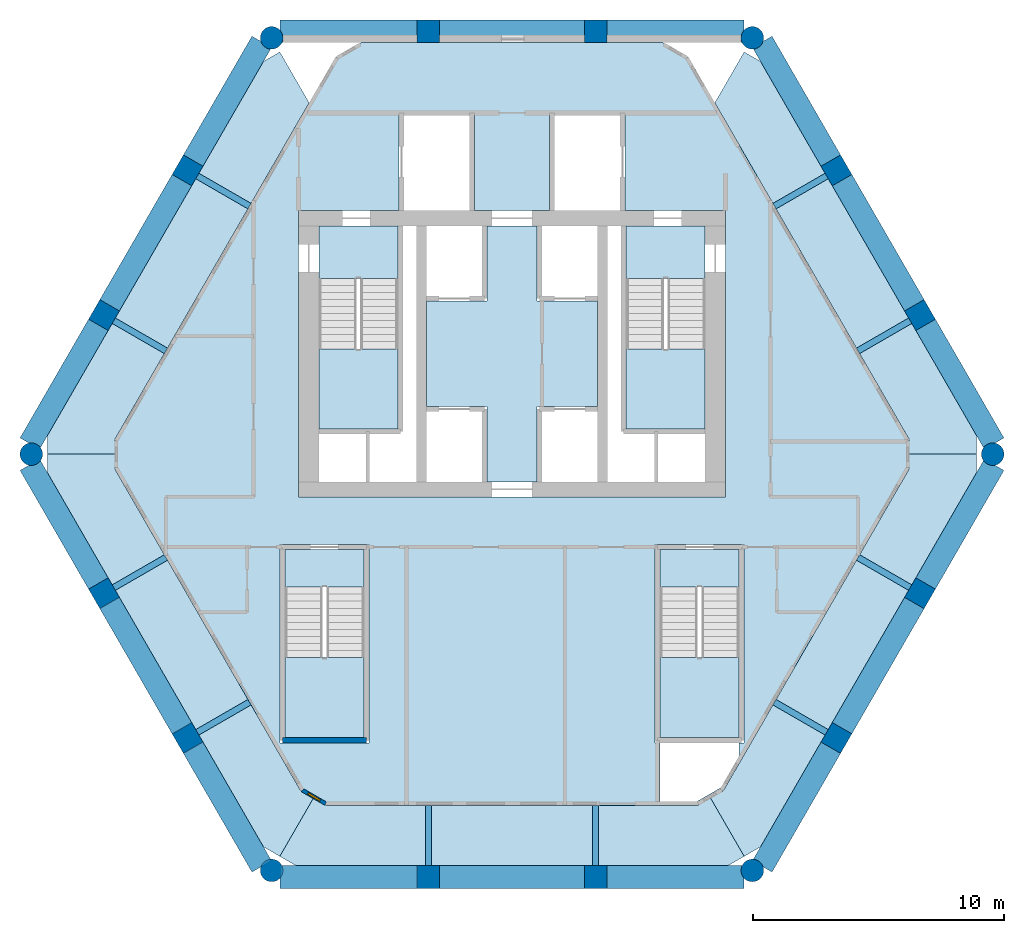
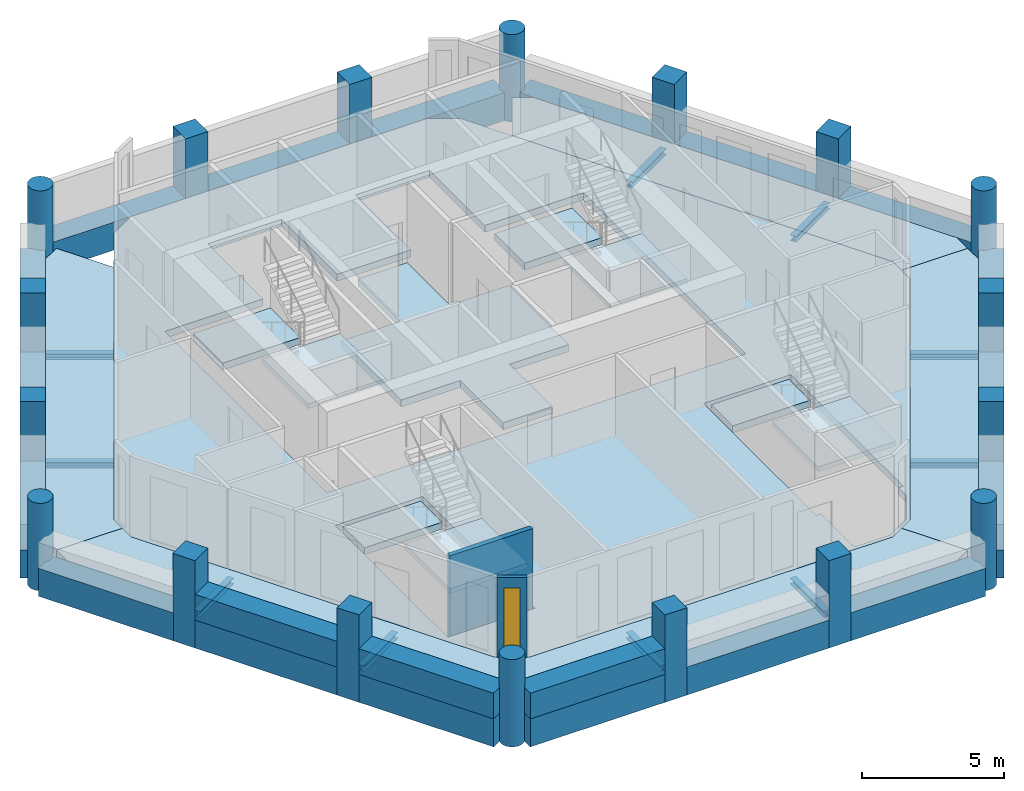
# One storey, part 1 of 6: 28 beams, 18 columns, 15 slabs, 5 walls, 1 window, 1 opening, 4 elements without a shape of their own.
"""IFC4 building model written with IfcOpenShell, lengths in metres."""

from ifc_helpers import new_model, si_unit, direction, frame, frame_2d, origin, origin_2d, place, context, subcontext, project, spatial, polyline, rectangle, circle, i_section, outline, extrude, material, layer, layer_set, material_profile, profile_set, type_object, element, fill, aggregate, save


model = new_model("IFC4")

# Units and contexts
model_context = context("Model", 3, precision=1e-05, world=origin(), true_north=direction((0.0, 1.0)))
body_context = subcontext(model_context, "Body", "Model", "MODEL_VIEW")
ifc_project = project(units=[si_unit("LENGTHUNIT", "METRE"), si_unit("AREAUNIT", "SQUARE_METRE"), si_unit("VOLUMEUNIT", "CUBIC_METRE"), si_unit("PLANEANGLEUNIT", "RADIAN"), si_unit("MASSUNIT", "GRAM", prefix="KILO")], contexts=[model_context])

# Site, building, storey
site_placement = place(None, origin())
site = spatial("IfcSite", under=ifc_project, at=site_placement, CompositionType="ELEMENT")
building_placement = place(site_placement, origin())
building = spatial("IfcBuilding", under=site, at=building_placement, Name="Ostrander Bayou Hotel Tower", CompositionType="ELEMENT")
storey_placement = place(building_placement, frame((0.0, 0.0, 218.25)))
storey = spatial("IfcBuildingStorey", under=building, at=storey_placement, Name="L54", CompositionType="ELEMENT", Elevation=218.25)

# Columns
ifc_material_1 = material(Name="Concrete f'c 60 MPa", Category="concrete")
ifc_material_profile_1 = material_profile(ifc_material_1, circle(Radius=0.449951171875, at=origin_2d()))
ifc_profile_set_1 = profile_set([ifc_material_profile_1], Name="Concrete f'c 60 MPa")
column_type_1 = type_object("IfcColumnType", Name="C7 round column 900 mm f'c 60 MPa", PredefinedType="COLUMN", material=ifc_profile_set_1)
for number, where, z_axis, x_axis, name in (
    (1, (-9.577392578125, 16.588623046875, -1.199951171875), (0.0, 0.0, 1.0), (1.0, 0.0, 0.0), "C7 L54 K0"),
    (2, (-19.155029296875, 0.0, -1.199951171875), (0.0, 0.0, 1.0), (1.0, 0.0, 0.0), "C7 L54 K1"),
    (3, (-9.577392578125, -16.588623046875, -1.199951171875), (0.0, 0.0, 1.0), (1.0, 0.0, 0.0), "C7 L54 K2"),
    (4, (9.577392578125, -16.588623046875, -1.199951171875), (0.0, 0.0, 1.0), (1.0, 0.0, 0.0), "C7 L54 K3"),
    (5, (19.155029296875, 0.0, -1.199951171875), (0.0, 0.0, 1.0), (1.0, 0.0, 0.0), "C7 L54 K4"),
    (6, (9.577392578125, 16.588623046875, -1.199951171875), (0.0, 0.0, 1.0), (1.0, 0.0, 0.0), "C7 L54 K5"),
):
    element("IfcColumn", number, at=place(storey_placement, frame(where, z_axis=z_axis, x_axis=x_axis)), inside=storey, type_object=column_type_1, Name=name, PredefinedType="COLUMN", context=body_context, shape_type="SweptSolid", body=[
        extrude(circle(Radius=0.449951171875, at=origin_2d()), origin(), (0.0, 0.0, 1.0), 3.75),
    ])
ifc_material_2 = material(Name="Concrete f'c 60 MPa", Category="concrete")
ifc_material_profile_2 = material_profile(ifc_material_2, rectangle(XDim=0.89990234375, YDim=0.89990234375, at=origin_2d()))
ifc_profile_set_2 = profile_set([ifc_material_profile_2], Name="Concrete f'c 60 MPa")
column_type_2 = type_object("IfcColumnType", Name="C8 square column 900 x 900 mm f'c 60 MPa", PredefinedType="COLUMN", material=ifc_profile_set_2)
for number, where, z_axis, x_axis, name in (
    (7, (3.329345703125, 16.85009765625, -1.199951171875), (0.0, 0.0, 1.0), (1.0, 0.0, 0.0), "C8 L54 N1"),
    (8, (-3.329345703125, 16.85009765625, -1.199951171875), (0.0, 0.0, 1.0), (1.0, 0.0, 0.0), "C8 L54 N2"),
    (9, (-12.927734375, 11.308349609375, -1.199951171875), (0.0, 0.0, 1.0), (0.5, 0.866025403784, 0.0), "C8 L54 NW1"),
    (10, (-16.257080078125, 5.541748046875, -1.199951171875), (0.0, 0.0, 1.0), (0.5, 0.866025403784, 0.0), "C8 L54 NW2"),
    (11, (-16.257080078125, -5.541748046875, -1.199951171875), (0.0, 0.0, 1.0), (-0.5, 0.866025403784, 0.0), "C8 L54 SW1"),
    (12, (-12.927734375, -11.308349609375, -1.199951171875), (0.0, 0.0, 1.0), (-0.5, 0.866025403784, 0.0), "C8 L54 SW2"),
    (13, (-3.329345703125, -16.85009765625, -1.199951171875), (0.0, 0.0, 1.0), (-1.0, 0.0, 0.0), "C8 L54 S1"),
    (14, (3.329345703125, -16.85009765625, -1.199951171875), (0.0, 0.0, 1.0), (-1.0, 0.0, 0.0), "C8 L54 S2"),
    (15, (12.927734375, -11.308349609375, -1.199951171875), (0.0, 0.0, 1.0), (-0.5, -0.866025403784, 0.0), "C8 L54 SE1"),
    (16, (16.257080078125, -5.541748046875, -1.199951171875), (0.0, 0.0, 1.0), (-0.5, -0.866025403784, 0.0), "C8 L54 SE2"),
    (17, (16.257080078125, 5.541748046875, -1.199951171875), (0.0, 0.0, 1.0), (0.5, -0.866025403784, 0.0), "C8 L54 NE1"),
    (18, (12.927734375, 11.308349609375, -1.199951171875), (0.0, 0.0, 1.0), (0.5, -0.866025403784, 0.0), "C8 L54 NE2"),
):
    element("IfcColumn", number, at=place(storey_placement, frame(where, z_axis=z_axis, x_axis=x_axis)), inside=storey, type_object=column_type_2, Name=name, PredefinedType="COLUMN", context=body_context, shape_type="SweptSolid", body=[
        extrude(rectangle(XDim=0.89990234375, YDim=0.89990234375, at=origin_2d()), origin(), (0.0, 0.0, 1.0), 3.75),
    ])

# Beams
ifc_material_3 = material(Name="Steel ASTM A992", Category="steel")
ifc_material_profile_3 = material_profile(ifc_material_3, i_section(OverallWidth=0.25390625, OverallDepth=0.25341796875, WebThickness=0.008544921875, FlangeThickness=0.01416015625, at=origin_2d()))
ifc_profile_set_3 = profile_set([ifc_material_profile_3], Name="Steel ASTM A992")
beam_type_1 = type_object("IfcBeamType", Name="LB2 loggia bracket W10x49", PredefinedType="BEAM", material=ifc_profile_set_3)
for number, where, z_axis, x_axis, name in (
    (19, (-12.5380859375, 11.083251953125, -0.4267578125), (0.866024647952, -0.500001309137, 0.0), (0.500001309137, 0.866024647952, 0.0), "LB2 L54 NW1"),
    (20, (-15.867431640625, 5.316650390625, -0.4267578125), (0.866024647952, -0.500001309137, 0.0), (0.500001309137, 0.866024647952, 0.0), "LB2 L54 NW2"),
    (21, (-15.867431640625, -5.316650390625, -0.4267578125), (0.866024647952, 0.500001309137, 0.0), (-0.500001309137, 0.866024647952, 0.0), "LB2 L54 SW1"),
    (22, (-12.5380859375, -11.083251953125, -0.4267578125), (0.866024647952, 0.500001309137, 0.0), (-0.500001309137, 0.866024647952, 0.0), "LB2 L54 SW2"),
    (23, (-3.329345703125, -16.39990234375, -0.4267578125), (0.0, 1.0, 0.0), (-1.0, 0.0, 0.0), "LB2 L54 S1"),
    (24, (3.329345703125, -16.39990234375, -0.4267578125), (0.0, 1.0, 0.0), (-1.0, 0.0, 0.0), "LB2 L54 S2"),
    (25, (12.5380859375, -11.083251953125, -0.4267578125), (-0.866024647952, 0.500001309137, 0.0), (-0.500001309137, -0.866024647952, 0.0), "LB2 L54 SE1"),
    (26, (15.867431640625, -5.316650390625, -0.4267578125), (-0.866024647952, 0.500001309137, 0.0), (-0.500001309137, -0.866024647952, 0.0), "LB2 L54 SE2"),
    (27, (15.867431640625, 5.316650390625, -0.4267578125), (-0.866024647952, -0.500001309137, 0.0), (0.500001309137, -0.866024647952, 0.0), "LB2 L54 NE1"),
    (28, (12.5380859375, 11.083251953125, -0.4267578125), (-0.866024647952, -0.500001309137, 0.0), (0.500001309137, -0.866024647952, 0.0), "LB2 L54 NE2"),
):
    element("IfcBeam", number, at=place(storey_placement, frame(where, z_axis=z_axis, x_axis=x_axis)), inside=storey, type_object=beam_type_1, Name=name, PredefinedType="BEAM", context=body_context, shape_type="SweptSolid", body=[
        extrude(i_section(OverallWidth=0.25390625, OverallDepth=0.25341796875, WebThickness=0.008544921875, FlangeThickness=0.01416015625, at=origin_2d()), origin(), (0.0, 0.0, 1.0), 2.39990234375),
    ])
ifc_material_4 = material(Name="Concrete f'c 60 MPa", Category="concrete")
ifc_material_profile_4 = material_profile(ifc_material_4, rectangle(XDim=0.89990234375, YDim=1.199951171875, at=origin_2d()))
ifc_profile_set_4 = profile_set([ifc_material_profile_4], Name="Concrete f'c 60 MPa")
beam_type_2 = type_object("IfcBeamType", Name="SP4 spandrel beam 900 x 1200 mm f'c 60 MPa", PredefinedType="SPANDREL", material=ifc_profile_set_4)
beam_1_placement = place(storey_placement, frame((9.2412109375, 16.85009765625, -0.60009765625), z_axis=(-1.0, 0.0, 0.0), x_axis=(0.0, -1.0, 0.0)))
element("IfcBeam", 29, at=beam_1_placement, inside=storey, type_object=beam_type_2, Name="SP4 L54 N-1", PredefinedType="SPANDREL", context=body_context, shape_type="SweptSolid", body=[
    extrude(rectangle(XDim=0.89990234375, YDim=1.199951171875, at=origin_2d()), origin(), (0.0, 0.0, 1.0), 5.49169921875),
])
beam_2_placement = place(storey_placement, frame((2.909423828125, 16.85009765625, -0.60009765625), z_axis=(-1.0, 0.0, 0.0), x_axis=(0.0, -1.0, 0.0)))
element("IfcBeam", 30, at=beam_2_placement, inside=storey, type_object=beam_type_2, Name="SP4 L54 N-2", PredefinedType="SPANDREL", context=body_context, shape_type="SweptSolid", body=[
    extrude(rectangle(XDim=0.89990234375, YDim=1.199951171875, at=origin_2d()), origin(), (0.0, 0.0, 1.0), 5.81884765625),
])
for number, where, z_axis, x_axis, name in (
    (31, (-3.74951171875, 16.85009765625, -0.60009765625), (-1.0, 0.0, 0.0), (0.0, -1.0, 0.0), "SP4 L54 N-3"),
    (32, (-9.971923828125, 16.427978515625, -0.60009765625), (-0.50000722722, -0.866021231107, 0.0), (0.866021231107, -0.50000722722, 0.0), "SP4 L54 NW-1"),
):
    element("IfcBeam", number, at=place(storey_placement, frame(where, z_axis=z_axis, x_axis=x_axis)), inside=storey, type_object=beam_type_2, Name=name, PredefinedType="SPANDREL", context=body_context, shape_type="SweptSolid", body=[
        extrude(rectangle(XDim=0.89990234375, YDim=1.199951171875, at=origin_2d()), origin(), (0.0, 0.0, 1.0), 5.49169921875),
    ])
beam_3_placement = place(storey_placement, frame((-13.1376953125, 10.944580078125, -0.60009765625), z_axis=(-0.500015433515, -0.866016493057, 0.0), x_axis=(0.866016493057, -0.500015433515, 0.0)))
element("IfcBeam", 33, at=beam_3_placement, inside=storey, type_object=beam_type_2, Name="SP4 L54 NW-2", PredefinedType="SPANDREL", context=body_context, shape_type="SweptSolid", body=[
    extrude(rectangle(XDim=0.89990234375, YDim=1.199951171875, at=origin_2d()), origin(), (0.0, 0.0, 1.0), 5.818603515625),
])
for number, where, z_axis, x_axis, name in (
    (34, (-16.46728515625, 5.177978515625, -0.60009765625), (-0.50000722722, -0.866021231107, 0.0), (0.866021231107, -0.50000722722, 0.0), "SP4 L54 NW-3"),
    (35, (-19.213134765625, -0.422119140625, -0.60009765625), (0.50000722722, -0.866021231107, 0.0), (0.866021231107, 0.50000722722, 0.0), "SP4 L54 SW-1"),
):
    element("IfcBeam", number, at=place(storey_placement, frame(where, z_axis=z_axis, x_axis=x_axis)), inside=storey, type_object=beam_type_2, Name=name, PredefinedType="SPANDREL", context=body_context, shape_type="SweptSolid", body=[
        extrude(rectangle(XDim=0.89990234375, YDim=1.199951171875, at=origin_2d()), origin(), (0.0, 0.0, 1.0), 5.49169921875),
    ])
beam_4_placement = place(storey_placement, frame((-16.047119140625, -5.905517578125, -0.60009765625), z_axis=(0.500015433515, -0.866016493057, 0.0), x_axis=(0.866016493057, 0.500015433515, 0.0)))
element("IfcBeam", 36, at=beam_4_placement, inside=storey, type_object=beam_type_2, Name="SP4 L54 SW-2", PredefinedType="SPANDREL", context=body_context, shape_type="SweptSolid", body=[
    extrude(rectangle(XDim=0.89990234375, YDim=1.199951171875, at=origin_2d()), origin(), (0.0, 0.0, 1.0), 5.818603515625),
])
for number, where, z_axis, x_axis, name in (
    (37, (-12.7177734375, -11.672119140625, -0.60009765625), (0.50000722722, -0.866021231107, 0.0), (0.866021231107, 0.50000722722, 0.0), "SP4 L54 SW-3"),
    (38, (-9.2412109375, -16.85009765625, -0.60009765625), (1.0, 0.0, 0.0), (0.0, 1.0, 0.0), "SP4 L54 S-1"),
):
    element("IfcBeam", number, at=place(storey_placement, frame(where, z_axis=z_axis, x_axis=x_axis)), inside=storey, type_object=beam_type_2, Name=name, PredefinedType="SPANDREL", context=body_context, shape_type="SweptSolid", body=[
        extrude(rectangle(XDim=0.89990234375, YDim=1.199951171875, at=origin_2d()), origin(), (0.0, 0.0, 1.0), 5.49169921875),
    ])
beam_5_placement = place(storey_placement, frame((-2.909423828125, -16.85009765625, -0.60009765625), z_axis=(1.0, 0.0, 0.0), x_axis=(0.0, 1.0, 0.0)))
element("IfcBeam", 39, at=beam_5_placement, inside=storey, type_object=beam_type_2, Name="SP4 L54 S-2", PredefinedType="SPANDREL", context=body_context, shape_type="SweptSolid", body=[
    extrude(rectangle(XDim=0.89990234375, YDim=1.199951171875, at=origin_2d()), origin(), (0.0, 0.0, 1.0), 5.81884765625),
])
for number, where, z_axis, x_axis, name in (
    (40, (3.74951171875, -16.85009765625, -0.60009765625), (1.0, 0.0, 0.0), (0.0, 1.0, 0.0), "SP4 L54 S-3"),
    (41, (9.971923828125, -16.427978515625, -0.60009765625), (0.50000722722, 0.866021231107, 0.0), (-0.866021231107, 0.50000722722, 0.0), "SP4 L54 SE-1"),
):
    element("IfcBeam", number, at=place(storey_placement, frame(where, z_axis=z_axis, x_axis=x_axis)), inside=storey, type_object=beam_type_2, Name=name, PredefinedType="SPANDREL", context=body_context, shape_type="SweptSolid", body=[
        extrude(rectangle(XDim=0.89990234375, YDim=1.199951171875, at=origin_2d()), origin(), (0.0, 0.0, 1.0), 5.49169921875),
    ])
beam_6_placement = place(storey_placement, frame((13.1376953125, -10.944580078125, -0.60009765625), z_axis=(0.500015433515, 0.866016493057, 0.0), x_axis=(-0.866016493057, 0.500015433515, 0.0)))
element("IfcBeam", 42, at=beam_6_placement, inside=storey, type_object=beam_type_2, Name="SP4 L54 SE-2", PredefinedType="SPANDREL", context=body_context, shape_type="SweptSolid", body=[
    extrude(rectangle(XDim=0.89990234375, YDim=1.199951171875, at=origin_2d()), origin(), (0.0, 0.0, 1.0), 5.818603515625),
])
for number, where, z_axis, x_axis, name in (
    (43, (16.46728515625, -5.177978515625, -0.60009765625), (0.50000722722, 0.866021231107, 0.0), (-0.866021231107, 0.50000722722, 0.0), "SP4 L54 SE-3"),
    (44, (19.213134765625, 0.422119140625, -0.60009765625), (-0.50000722722, 0.866021231107, 0.0), (-0.866021231107, -0.50000722722, 0.0), "SP4 L54 NE-1"),
):
    element("IfcBeam", number, at=place(storey_placement, frame(where, z_axis=z_axis, x_axis=x_axis)), inside=storey, type_object=beam_type_2, Name=name, PredefinedType="SPANDREL", context=body_context, shape_type="SweptSolid", body=[
        extrude(rectangle(XDim=0.89990234375, YDim=1.199951171875, at=origin_2d()), origin(), (0.0, 0.0, 1.0), 5.49169921875),
    ])
beam_7_placement = place(storey_placement, frame((16.047119140625, 5.905517578125, -0.60009765625), z_axis=(-0.500015433515, 0.866016493057, 0.0), x_axis=(-0.866016493057, -0.500015433515, 0.0)))
element("IfcBeam", 45, at=beam_7_placement, inside=storey, type_object=beam_type_2, Name="SP4 L54 NE-2", PredefinedType="SPANDREL", context=body_context, shape_type="SweptSolid", body=[
    extrude(rectangle(XDim=0.89990234375, YDim=1.199951171875, at=origin_2d()), origin(), (0.0, 0.0, 1.0), 5.818603515625),
])
beam_8_placement = place(storey_placement, frame((12.7177734375, 11.672119140625, -0.60009765625), z_axis=(-0.50000722722, 0.866021231107, 0.0), x_axis=(-0.866021231107, -0.50000722722, 0.0)))
element("IfcBeam", 46, at=beam_8_placement, inside=storey, type_object=beam_type_2, Name="SP4 L54 NE-3", PredefinedType="SPANDREL", context=body_context, shape_type="SweptSolid", body=[
    extrude(rectangle(XDim=0.89990234375, YDim=1.199951171875, at=origin_2d()), origin(), (0.0, 0.0, 1.0), 5.49169921875),
])

# Slabs
ifc_material_5 = material(Name="Concrete f'c 40 MPa", Category="concrete")
ifc_layer_1 = layer(ifc_material_5, 0.300048828125)
ifc_layer_set_1 = layer_set([ifc_layer_1], Name="SL1 floor slab 300 mm f'c 40 MPa")
slab_type_1 = type_object("IfcSlabType", Name="SL1 floor slab 300 mm f'c 40 MPa", PredefinedType="FLOOR", material=ifc_layer_set_1)
slab_1_placement = place(storey_placement, frame((0.0, 0.0, -0.300048828125)))
element("IfcSlab", 47, at=slab_1_placement, inside=storey, type_object=slab_type_1, Name="SL1 L54 1", PredefinedType="FLOOR", context=body_context, shape_type="SweptSolid", body=[
    extrude(outline(polyline([(-2.909423828125, 16.39990234375), (2.909423828125, 16.39990234375), (3.74951171875, 16.39990234375), (6.00439453125, 16.39990234375), (7.043701171875, 15.800048828125), (15.8193359375, 0.60009765625), (15.8193359375, -0.60009765625), (8.42919921875, -13.39990234375), (7.39013671875, -14.0), (-7.39013671875, -14.0), (-8.42919921875, -13.39990234375), (-15.8193359375, -0.60009765625), (-15.8193359375, 0.60009765625), (-7.043701171875, 15.800048828125), (-6.00439453125, 16.39990234375), (-3.74951171875, 16.39990234375), (-2.909423828125, 16.39990234375)]), holes=[polyline([(9.050048828125, -11.5), (9.25, -11.5), (9.25, -3.60009765625), (5.699951171875, -3.60009765625), (5.699951171875, -11.5), (5.89990234375, -11.5), (5.89990234375, -13.85009765625), (7.349853515625, -13.85009765625), (8.319580078125, -13.290283203125), (9.050048828125, -12.02490234375), (9.050048828125, -11.5)]), polyline([(-8.5, -1.699951171875), (8.5, -1.699951171875), (8.5, 9.699951171875), (4.5, 9.699951171875), (4.5, 13.60009765625), (1.5, 13.60009765625), (1.5, 9.699951171875), (-1.5, 9.699951171875), (-1.5, 13.60009765625), (-4.5, 13.60009765625), (-4.5, 9.699951171875), (-8.5, 9.699951171875), (-8.5, -1.699951171875)]), polyline([(-5.699951171875, -3.60009765625), (-9.25, -3.60009765625), (-9.25, -11.5), (-5.699951171875, -11.5), (-5.699951171875, -3.60009765625)])]), origin(), (0.0, 0.0, 1.0), 0.300048828125),
])
slab_2_placement = place(storey_placement, frame((0.0, 0.0, -0.300048828125)))
element("IfcSlab", 48, at=slab_2_placement, inside=storey, type_object=slab_type_1, Name="cslab:L54:001", PredefinedType="FLOOR", context=body_context, shape_type="SweptSolid", body=[
    extrude(outline(polyline([(-3.39990234375, 6.10009765625), (-1.0, 6.10009765625), (-1.0, 9.10009765625), (1.0, 9.10009765625), (1.0, 6.10009765625), (3.39990234375, 6.10009765625), (3.39990234375, 1.89990234375), (1.0, 1.89990234375), (1.0, -1.10009765625), (-1.0, -1.10009765625), (-1.0, 1.89990234375), (-3.39990234375, 1.89990234375), (-3.39990234375, 6.10009765625)])), origin(), (0.0, 0.0, 1.0), 0.300048828125),
])
slab_3_placement = place(storey_placement, frame((0.0, 0.0, -0.300048828125)))
element("IfcSlab", 49, at=slab_3_placement, inside=storey, type_object=slab_type_1, Name="cslab:L54:002", PredefinedType="FLOOR", context=body_context, shape_type="SweptSolid", body=[
    extrude(outline(polyline([(-4.550048828125, 7.0), (-4.550048828125, 9.10009765625), (-7.699951171875, 9.10009765625), (-7.699951171875, 7.0), (-4.550048828125, 7.0)])), origin(), (0.0, 0.0, 1.0), 0.300048828125),
])
slab_4_placement = place(storey_placement, frame((0.0, 0.0, -0.300048828125)))
element("IfcSlab", 50, at=slab_4_placement, inside=storey, type_object=slab_type_1, Name="cslab:L54:003", PredefinedType="FLOOR", context=body_context, shape_type="SweptSolid", body=[
    extrude(outline(polyline([(7.699951171875, 7.0), (7.699951171875, 9.10009765625), (4.550048828125, 9.10009765625), (4.550048828125, 7.0), (7.699951171875, 7.0)])), origin(), (0.0, 0.0, 1.0), 0.300048828125),
])
slab_5_placement = place(storey_placement, frame((0.0, 0.0, -0.300048828125)))
element("IfcSlab", 51, at=slab_5_placement, inside=storey, type_object=slab_type_1, Name="cslab:L54:004", PredefinedType="FLOOR", context=body_context, shape_type="SweptSolid", body=[
    extrude(outline(polyline([(9.050048828125, -5.300048828125), (9.050048828125, -3.800048828125), (5.89990234375, -3.800048828125), (5.89990234375, -5.300048828125), (9.050048828125, -5.300048828125)])), origin(), (0.0, 0.0, 1.0), 0.300048828125),
])
slab_6_placement = place(storey_placement, frame((0.0, 0.0, -0.300048828125)))
element("IfcSlab", 52, at=slab_6_placement, inside=storey, type_object=slab_type_1, Name="cslab:L54:005", PredefinedType="FLOOR", context=body_context, shape_type="SweptSolid", body=[
    extrude(outline(polyline([(-5.89990234375, -5.300048828125), (-5.89990234375, -3.800048828125), (-9.050048828125, -3.800048828125), (-9.050048828125, -5.300048828125), (-5.89990234375, -5.300048828125)])), origin(), (0.0, 0.0, 1.0), 0.300048828125),
])
ifc_material_6 = material(Name="Concrete f'c 40 MPa", Category="concrete")
ifc_layer_2 = layer(ifc_material_6, 0.300048828125)
ifc_layer_set_2 = layer_set([ifc_layer_2], Name="SL4 loggia slab 300 mm f'c 40 MPa")
slab_type_2 = type_object("IfcSlabType", Name="SL4 loggia slab 300 mm f'c 40 MPa", PredefinedType="FLOOR", material=ifc_layer_set_2)
slab_7_placement = place(storey_placement, frame((0.0, 0.0, -0.300048828125)))
element("IfcSlab", 53, at=slab_7_placement, inside=storey, type_object=slab_type_2, Name="SL4 LOGGIA L54 NW 1", PredefinedType="FLOOR", context=body_context, shape_type="SweptSolid", body=[
    extrude(outline(polyline([(-18.504150390625, 0.0), (-18.504150390625, 0.75), (-16.869384765625, 3.581298828125), (-16.077392578125, 4.952880859375), (-15.657470703125, 5.680419921875), (-12.748046875, 10.719482421875), (-12.328125, 11.447021484375), (-9.901611328125, 15.64990234375), (-9.251953125, 16.02490234375), (-8.0830078125, 14.0), (-15.8193359375, 0.60009765625), (-15.8193359375, 0.0), (-18.504150390625, 0.0)])), origin(), (0.0, 0.0, 1.0), 0.300048828125),
])
slab_8_placement = place(storey_placement, frame((0.0, 0.0, -0.300048828125)))
element("IfcSlab", 54, at=slab_8_placement, inside=storey, type_object=slab_type_2, Name="SL4 LOGGIA L54 SW 1", PredefinedType="FLOOR", context=body_context, shape_type="SweptSolid", body=[
    extrude(outline(polyline([(-7.90966796875, -13.699951171875), (-9.251953125, -16.02490234375), (-9.901611328125, -15.64990234375), (-12.328125, -11.447021484375), (-12.748046875, -10.719482421875), (-15.657470703125, -5.680419921875), (-16.077392578125, -4.952880859375), (-18.504150390625, -0.75), (-18.504150390625, 0.0), (-15.8193359375, 0.0), (-15.8193359375, -0.60009765625), (-8.42919921875, -13.39990234375), (-7.90966796875, -13.699951171875)])), origin(), (0.0, 0.0, 1.0), 0.300048828125),
])
slab_9_placement = place(storey_placement, frame((0.0, 0.0, -0.300048828125)))
element("IfcSlab", 55, at=slab_9_placement, inside=storey, type_object=slab_type_2, Name="SL4 LOGGIA L54 S 1", PredefinedType="FLOOR", context=body_context, shape_type="SweptSolid", body=[
    extrude(outline(polyline([(7.90966796875, -13.699951171875), (9.251953125, -16.02490234375), (8.6025390625, -16.39990234375), (3.74951171875, -16.39990234375), (2.909423828125, -16.39990234375), (0.0, -16.39990234375), (-2.909423828125, -16.39990234375), (-3.74951171875, -16.39990234375), (-8.6025390625, -16.39990234375), (-9.251953125, -16.02490234375), (-7.90966796875, -13.699951171875), (-7.39013671875, -14.0), (7.39013671875, -14.0), (7.90966796875, -13.699951171875)])), origin(), (0.0, 0.0, 1.0), 0.300048828125),
])
slab_10_placement = place(storey_placement, frame((0.0, 0.0, -0.300048828125)))
element("IfcSlab", 56, at=slab_10_placement, inside=storey, type_object=slab_type_2, Name="SL4 LOGGIA L54 SE 1", PredefinedType="FLOOR", context=body_context, shape_type="SweptSolid", body=[
    extrude(outline(polyline([(15.8193359375, 0.0), (18.504150390625, 0.0), (18.504150390625, -0.75), (17.3330078125, -2.7783203125), (16.077392578125, -4.952880859375), (15.657470703125, -5.680419921875), (12.748046875, -10.719482421875), (12.328125, -11.447021484375), (9.901611328125, -15.64990234375), (9.251953125, -16.02490234375), (7.90966796875, -13.699951171875), (8.42919921875, -13.39990234375), (15.8193359375, -0.60009765625), (15.8193359375, 0.0)])), origin(), (0.0, 0.0, 1.0), 0.300048828125),
])
slab_11_placement = place(storey_placement, frame((0.0, 0.0, -0.300048828125)))
element("IfcSlab", 57, at=slab_11_placement, inside=storey, type_object=slab_type_2, Name="SL4 LOGGIA L54 NE 1", PredefinedType="FLOOR", context=body_context, shape_type="SweptSolid", body=[
    extrude(outline(polyline([(9.251953125, 16.02490234375), (9.901611328125, 15.64990234375), (12.328125, 11.447021484375), (12.748046875, 10.719482421875), (15.657470703125, 5.680419921875), (16.077392578125, 4.952880859375), (18.504150390625, 0.75), (18.504150390625, 0.0), (15.8193359375, 0.0), (15.8193359375, 0.60009765625), (8.0830078125, 14.0), (9.251953125, 16.02490234375)])), origin(), (0.0, 0.0, 1.0), 0.300048828125),
])

# Stair, slab
ifc_material_7 = material(Name="Concrete f'c 45 MPa", Category="concrete")
stair_type = type_object("IfcStairType", Name="ST1 exit stair 1500 mm f'c 45 MPa", PredefinedType="HALF_TURN_STAIR", material=ifc_material_7)
stair_1_placement = place(storey_placement, origin())
stair_1 = element("IfcStair", 58, at=stair_1_placement, inside=storey, type_object=stair_type, Name="L54 exit stair A", PredefinedType="HALF_TURN_STAIR")
ifc_material_8 = material(Name="Concrete f'c 45 MPa", Category="concrete")
ifc_layer_3 = layer(ifc_material_8, 0.199951171875)
ifc_layer_set_3 = layer_set([ifc_layer_3], Name="SL8 stair landing 200 mm f'c 45 MPa")
slab_type_3 = type_object("IfcSlabType", Name="SL8 stair landing 200 mm f'c 45 MPa", PredefinedType="LANDING", material=ifc_layer_set_3)
slab_12_placement = place(storey_placement, frame((0.0, 0.0, 1.675048828125)))
slab_12 = element("IfcSlab", 59, at=slab_12_placement, type_object=slab_type_3, Name="STA landing 1", PredefinedType="LANDING", context=body_context, shape_type="SweptSolid", body=[
    extrude(outline(polyline([(-7.699951171875, 4.199951171875), (-7.699951171875, 1.0), (-4.550048828125, 1.0), (-4.550048828125, 4.199951171875), (-7.699951171875, 4.199951171875)])), origin(), (0.0, 0.0, 1.0), 0.199951171875),
])
aggregate(stair_1, [slab_12])

stair_2_placement = place(storey_placement, origin())
stair_2 = element("IfcStair", 60, at=stair_2_placement, inside=storey, type_object=stair_type, Name="L54 exit stair B", PredefinedType="HALF_TURN_STAIR")
slab_13_placement = place(storey_placement, frame((0.0, 0.0, 1.675048828125)))
slab_13 = element("IfcSlab", 61, at=slab_13_placement, type_object=slab_type_3, Name="STB landing 1", PredefinedType="LANDING", context=body_context, shape_type="SweptSolid", body=[
    extrude(outline(polyline([(4.550048828125, 4.199951171875), (4.550048828125, 1.0), (7.699951171875, 1.0), (7.699951171875, 4.199951171875), (4.550048828125, 4.199951171875)])), origin(), (0.0, 0.0, 1.0), 0.199951171875),
])
aggregate(stair_2, [slab_13])

stair_3_placement = place(storey_placement, origin())
stair_3 = element("IfcStair", 62, at=stair_3_placement, inside=storey, type_object=stair_type, Name="L54 exit stair C", PredefinedType="HALF_TURN_STAIR")
slab_14_placement = place(storey_placement, frame((0.0, 0.0, 1.675048828125)))
slab_14 = element("IfcSlab", 63, at=slab_14_placement, type_object=slab_type_3, Name="STC landing 1", PredefinedType="LANDING", context=body_context, shape_type="SweptSolid", body=[
    extrude(outline(polyline([(5.89990234375, -8.10009765625), (5.89990234375, -11.300048828125), (9.050048828125, -11.300048828125), (9.050048828125, -8.10009765625), (5.89990234375, -8.10009765625)])), origin(), (0.0, 0.0, 1.0), 0.199951171875),
])
aggregate(stair_3, [slab_14])

stair_4_placement = place(storey_placement, origin())
stair_4 = element("IfcStair", 64, at=stair_4_placement, inside=storey, type_object=stair_type, Name="L54 exit stair D", PredefinedType="HALF_TURN_STAIR")
slab_15_placement = place(storey_placement, frame((0.0, 0.0, 1.675048828125)))
slab_15 = element("IfcSlab", 65, at=slab_15_placement, type_object=slab_type_3, Name="STD landing 1", PredefinedType="LANDING", context=body_context, shape_type="SweptSolid", body=[
    extrude(outline(polyline([(-9.050048828125, -8.10009765625), (-9.050048828125, -11.300048828125), (-5.89990234375, -11.300048828125), (-5.89990234375, -8.10009765625), (-9.050048828125, -8.10009765625)])), origin(), (0.0, 0.0, 1.0), 0.199951171875),
])
aggregate(stair_4, [slab_15])

# Wall, opening, window
ifc_material_9 = material(Name="Aluminium framed insulated wall", Category="aluminium")
ifc_layer_4 = layer(ifc_material_9, 0.14990234375)
ifc_layer_set_4 = layer_set([ifc_layer_4], Name="GW1 glass-line wall 150 mm")
wall_type_1 = type_object("IfcWallType", Name="GW1 glass-line wall 150 mm", PredefinedType="SOLIDWALL", material=ifc_layer_set_4)
wall_1_placement = place(storey_placement, frame((-8.346923828125, -13.392578125, 0.0), z_axis=(0.0, 0.0, 1.0), x_axis=(0.865990848561, -0.500059846627, 0.0)))
wall_1 = element("IfcWall", 66, at=wall_1_placement, inside=storey, type_object=wall_type_1, Name="GW1 L54 corner 3", PredefinedType="SOLIDWALL", context=body_context, shape_type="SweptSolid", body=[
    extrude(rectangle(XDim=1.064697265625, YDim=0.14990234375, at=frame_2d((0.5322265625, 0.0))), origin(), (0.0, 0.0, 1.0), 3.449951171875),
])
opening_placement = place(wall_1_placement, frame((0.257568359375, 0.0, 0.14990234375)))
opening = element("IfcOpeningElement", 67, at=opening_placement, cuts=wall_1, Name="Opening W19", PredefinedType="OPENING", context=body_context, shape_type="SweptSolid", body=[
    extrude(rectangle(XDim=0.550048828125, YDim=2.85009765625, at=frame_2d((0.27490234375, 1.425048828125))), frame((0.0, 0.074951171875, 0.0), z_axis=(0.0, -1.0, 0.0), x_axis=(1.0, 0.0, 0.0)), (0.0, 0.0, 1.0), 0.14990234375),
])
ifc_material_10 = material(Name="Aluminium and clear glass", Category="aluminium")
window_type = type_object("IfcWindowType", Name="W19 corner window 550 mm", PartitioningType="SINGLE_PANEL", PredefinedType="WINDOW", material=ifc_material_10)
window_placement = place(opening_placement, origin())
window = element("IfcWindow", 68, at=window_placement, inside=storey, type_object=window_type, Name="W19 L54 corner 3", OverallHeight=2.85009765625, OverallWidth=0.550048828125, PartitioningType="SINGLE_PANEL", PredefinedType="WINDOW", context=body_context, shape_type="SweptSolid", body=[
    extrude(rectangle(XDim=0.550048828125, YDim=2.85009765625, at=frame_2d((0.27490234375, 1.425048828125))), frame((0.0, 0.030029296875, 0.0), z_axis=(0.0, -1.0, 0.0), x_axis=(1.0, 0.0, 0.0)), (0.0, 0.0, 1.0), 0.06005859375),
])
fill(opening, window)

# Walls
ifc_material_11 = material(Name="Concrete f'c 40 MPa", Category="concrete")
ifc_layer_5 = layer(ifc_material_11, 0.89990234375)
ifc_layer_set_5 = layer_set([ifc_layer_5], Name="PA1 stone-faced parapet 900 mm")
wall_type_2 = type_object("IfcWallType", Name="PA1 stone-faced parapet 900 mm", PredefinedType="PARAPET", material=ifc_layer_set_5)
wall_2_placement = place(storey_placement, frame((-9.2412109375, -16.85009765625, 0.0), z_axis=(0.0, 0.0, 1.0), x_axis=(1.0, 0.0, 0.0)))
element("IfcWall", 69, at=wall_2_placement, inside=storey, type_object=wall_type_2, Name="PA1 L54 S-1", PredefinedType="PARAPET", context=body_context, shape_type="SweptSolid", body=[
    extrude(rectangle(XDim=5.49169921875, YDim=0.89990234375, at=frame_2d((2.745849609375, 0.0))), origin(), (0.0, 0.0, 1.0), 1.10009765625),
])
ifc_material_12 = material(Name="Limestone masonry", Category="masonry")
ifc_layer_6 = layer(ifc_material_12, 0.89990234375)
ifc_layer_set_6 = layer_set([ifc_layer_6], Name="PA2 limestone parapet 900 mm")
wall_type_3 = type_object("IfcWallType", Name="PA2 limestone parapet 900 mm", PredefinedType="PARAPET", material=ifc_layer_set_6)
wall_3_placement = place(storey_placement, frame((-16.047119140625, -5.905517578125, 0.0), z_axis=(0.0, 0.0, 1.0), x_axis=(0.500015433515, -0.866016493057, 0.0)))
element("IfcWall", 70, at=wall_3_placement, inside=storey, type_object=wall_type_3, Name="PA2 L54 SW-2", PredefinedType="PARAPET", context=body_context, shape_type="SweptSolid", body=[
    extrude(rectangle(XDim=5.818603515625, YDim=0.89990234375, at=frame_2d((2.9091796875, 0.0))), origin(), (0.0, 0.0, 1.0), 1.10009765625),
])
wall_4_placement = place(storey_placement, frame((-12.7177734375, -11.672119140625, 0.0), z_axis=(0.0, 0.0, 1.0), x_axis=(0.50000722722, -0.866021231107, 0.0)))
element("IfcWall", 71, at=wall_4_placement, inside=storey, type_object=wall_type_3, Name="PA2 L54 SW-3", PredefinedType="PARAPET", context=body_context, shape_type="SweptSolid", body=[
    extrude(rectangle(XDim=5.49169921875, YDim=0.89990234375, at=frame_2d((2.745849609375, 0.0))), origin(), (0.0, 0.0, 1.0), 1.10009765625),
])
ifc_material_13 = material(Name="Concrete f'c 45 MPa", Category="concrete")
ifc_layer_7 = layer(ifc_material_13, 0.199951171875)
ifc_layer_set_7 = layer_set([ifc_layer_7], Name="SW5 stair enclosure wall 200 mm f'c 45 MPa")
wall_type_4 = type_object("IfcWallType", Name="SW5 stair enclosure wall 200 mm f'c 45 MPa", PredefinedType="SOLIDWALL", material=ifc_layer_set_7)
wall_5_placement = place(storey_placement, frame((-9.14990234375, -11.39990234375, -0.300048828125), z_axis=(0.0, 0.0, 1.0), x_axis=(1.0, 0.0, 0.0)))
element("IfcWall", 72, at=wall_5_placement, inside=storey, type_object=wall_type_4, Name="cs:L54:023", PredefinedType="SOLIDWALL", context=body_context, shape_type="SweptSolid", body=[
    extrude(rectangle(XDim=3.349853515625, YDim=0.199951171875, at=frame_2d((1.6748046875, 0.0))), origin(), (0.0, 0.0, 1.0), 3.75),
])

save(model, "model.ifc")
